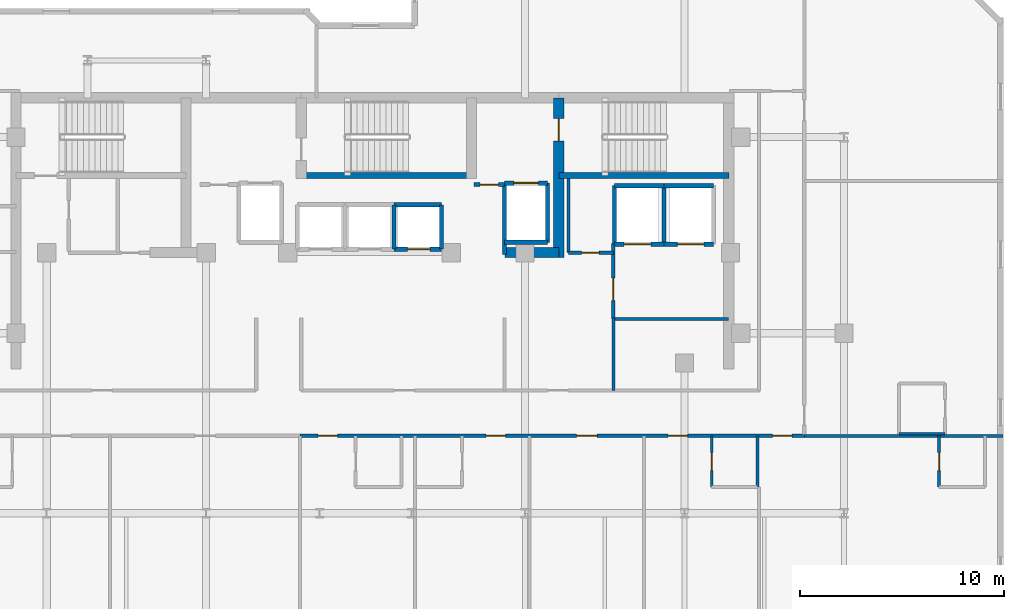
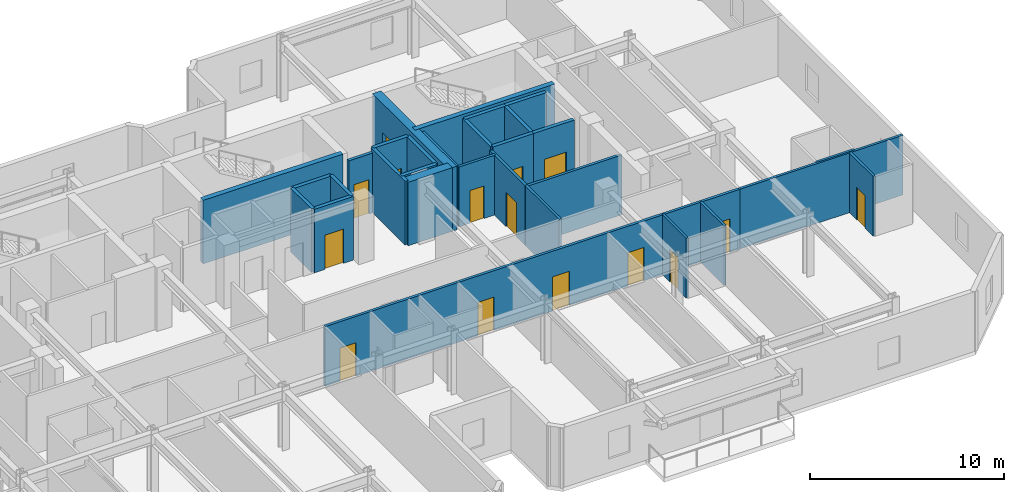
# One storey, part 6 of 10: 30 walls, 15 doors, 15 openings.
"""IFC4 building model written with IfcOpenShell, lengths in metres."""

import ifcopenshell
import ifcopenshell.guid

model = None  # the IFC model being written
_history = None  # IfcOwnerHistory: only IFC2X3 demands one
_inside = {}  # id of a spatial element -> (the spatial element, [elements in it])
_under = {}  # id of a project, library or spatial element -> (it, [spatial elements below it])
_declared = {}  # id of a project -> (the project, [libraries it declares])
_typed = {}  # id of a type object -> (the type object, [elements of that type])
_made_of = {}  # id of a material, layer set ... -> (it, [elements and type objects made of it])


def new_model(schema):
    """Start an empty IFC model of exactly this schema.

    Asked for "IFC4X3", IfcOpenShell would pick the latest addendum, in which some entities
    have other attributes; the version numbers below select the first issue.
    IFC2X3 requires an IfcOwnerHistory on every rooted entity: one is made here for all.
    """
    global model, _history
    if schema == "IFC4X3":
        model = ifcopenshell.file(schema_version=(4, 3, 0, 0))
    else:
        model = ifcopenshell.file(schema=schema)
    _inside.clear()
    _under.clear()
    _declared.clear()
    _typed.clear()
    _made_of.clear()
    _history = None
    if model.schema == "IFC2X3":
        org = make("IfcOrganization", Name="unknown")
        user = make(
            "IfcPersonAndOrganization",
            ThePerson=make("IfcPerson", FamilyName="unknown"),
            TheOrganization=org,
        )
        app = make(
            "IfcApplication",
            ApplicationDeveloper=org,
            Version="unknown",
            ApplicationFullName="unknown",
            ApplicationIdentifier="unknown",
        )
        _history = make(
            "IfcOwnerHistory",
            OwningUser=user,
            OwningApplication=app,
            ChangeAction="ADDED",
            CreationDate=0,
        )
    return model


def make(cls, **values):
    """One entity of the class cls with the attributes given. An attribute that is None is left unset."""
    return model.create_entity(
        cls, **{name: value for name, value in values.items() if value is not None}
    )


def rooted(cls, **values):
    """An entity with a GlobalId (a new one), such as an element, a storey or a relation."""
    return make(cls, GlobalId=ifcopenshell.guid.new(), OwnerHistory=_history, **values)


def si_unit(unit_type, name, prefix=None):
    """IfcSIUnit, for example si_unit("LENGTHUNIT", "METRE", prefix="MILLI")."""
    return make("IfcSIUnit", UnitType=unit_type, Prefix=prefix, Name=name)


def assignment(units):
    """IfcUnitAssignment: the units of a project."""
    return None if units is None else make("IfcUnitAssignment", Units=units)


def point(xyz):
    """IfcCartesianPoint."""
    return None if xyz is None else make("IfcCartesianPoint", Coordinates=xyz)


def direction(xyz):
    """IfcDirection."""
    return None if xyz is None else make("IfcDirection", DirectionRatios=xyz)


def frame(location, z_axis=None, x_axis=None):
    """IfcAxis2Placement3D, a coordinate frame: its origin and axes. An axis left out is left unset."""
    return make(
        "IfcAxis2Placement3D",
        Location=point(location),
        Axis=direction(z_axis),
        RefDirection=direction(x_axis),
    )


def frame_2d(location, x_axis=None):
    """IfcAxis2Placement2D, a coordinate frame in the plane: its origin and x axis."""
    return make(
        "IfcAxis2Placement2D", Location=point(location), RefDirection=direction(x_axis)
    )


def origin():
    """The frame at (0, 0, 0) with its axes left unset."""
    return frame((0.0, 0.0, 0.0))


def place(relative_to, where):
    """IfcLocalPlacement: puts the frame where relative to a parent placement (None: the world)."""
    return make(
        "IfcLocalPlacement", PlacementRelTo=relative_to, RelativePlacement=where
    )


def context(
    kind, dimensions, precision=None, world=None, true_north=None, identifier=None
):
    """IfcGeometricRepresentationContext, for example the 3D "Model" context."""
    return make(
        "IfcGeometricRepresentationContext",
        ContextIdentifier=identifier,
        ContextType=kind,
        CoordinateSpaceDimension=dimensions,
        Precision=precision,
        WorldCoordinateSystem=world,
        TrueNorth=true_north,
    )


def subcontext(parent, identifier, kind, view, scale=None):
    """IfcGeometricRepresentationSubContext, for example "Body" below "Model"."""
    return make(
        "IfcGeometricRepresentationSubContext",
        ContextIdentifier=identifier,
        ContextType=kind,
        ParentContext=parent,
        TargetScale=scale,
        TargetView=view,
    )


def project(units=None, contexts=None):
    """IfcProject with its units and contexts."""
    return rooted(
        "IfcProject",
        Name="project",
        RepresentationContexts=contexts,
        UnitsInContext=assignment(units),
    )


def spatial(cls, under=None, at=None, **own):
    """A site, building, storey or space (cls), placed at a placement, below another one or the project."""
    s = rooted(cls, ObjectPlacement=at, **own)
    if under is not None:
        _under.setdefault(under.id(), (under, []))[1].append(s)
    return s


def profile(cls, at=None, kind="AREA", **sizes):
    """A parametric profile (cls). Its sizes go by their IFC names, for example OverallWidth=200.0."""
    return make(cls, ProfileType=kind, Position=at, **sizes)


def rectangle(**sizes):
    """IfcRectangleProfileDef."""
    return profile("IfcRectangleProfileDef", **sizes)


def extrude(swept, where, along, depth):
    """IfcExtrudedAreaSolid: the profile swept, set in the frame where, extruded along a direction by depth."""
    return make(
        "IfcExtrudedAreaSolid",
        SweptArea=swept,
        Position=where,
        ExtrudedDirection=direction(along),
        Depth=depth,
    )


def shape(context_of_items, identifier, shape_type, items):
    """IfcShapeRepresentation: the items that make up one representation, for example the "Body"."""
    return make(
        "IfcShapeRepresentation",
        ContextOfItems=context_of_items,
        RepresentationIdentifier=identifier,
        RepresentationType=shape_type,
        Items=items,
    )


def material(Name=None, Category=None):
    """IfcMaterial."""
    return make("IfcMaterial", Name=Name, Category=Category)


def layer(
    of_material, thickness, ventilated=None, Name=None, Category=None, Priority=None
):
    """IfcMaterialLayer: one layer of a wall or slab, of a material (None: an air gap)."""
    return make(
        "IfcMaterialLayer",
        Material=of_material,
        LayerThickness=thickness,
        IsVentilated=ventilated,
        Name=Name,
        Category=Category,
        Priority=Priority,
    )


def layer_set(layers, Name=None):
    """IfcMaterialLayerSet."""
    return make("IfcMaterialLayerSet", MaterialLayers=layers, LayerSetName=Name)


def made_of(thing, what):
    """Note that an element or type object is made of a material, layer set ...; save() writes the relation."""
    if what is not None:
        _made_of.setdefault(what.id(), (what, []))[1].append(thing)
    return thing


def type_object(cls, material=None, **own):
    """A type object (cls), such as IfcWallType, which elements share."""
    return made_of(rooted(cls, **own), material)


def element(
    cls,
    number,
    at=None,
    inside=None,
    cuts=None,
    type_object=None,
    material=None,
    context=None,
    identifier="Body",
    shape_type=None,
    held_by="IfcProductDefinitionShape",
    body=None,
    shapes=None,
    **own,
):
    """One element of the class cls, such as IfcWall. Its Tag is "e" and its number.

    at: its placement. inside: the storey or other place that contains it. cuts: it is an
    opening in that element (IfcRelVoidsElement). A single representation is given by context,
    identifier, shape_type and body (its items); several are given by shapes. held_by: the class
    of the entity that holds the representations. save() writes the other relations.
    """
    e = rooted(cls, Tag="e%d" % number, ObjectPlacement=at, **own)
    if body is not None:
        shapes = [shape(context, identifier, shape_type, body)]
    if shapes is not None:
        e.Representation = make(held_by, Representations=shapes)
    if inside is not None:
        _inside.setdefault(inside.id(), (inside, []))[1].append(e)
    if cuts is not None:
        rooted(
            "IfcRelVoidsElement", RelatingBuildingElement=cuts, RelatedOpeningElement=e
        )
    if type_object is not None:
        _typed.setdefault(type_object.id(), (type_object, []))[1].append(e)
    return made_of(e, material)


def fill(opening, filler):
    """IfcRelFillsElement: the door or window that sits in an opening."""
    return rooted(
        "IfcRelFillsElement",
        RelatingOpeningElement=opening,
        RelatedBuildingElement=filler,
    )


def aggregate(whole, parts):
    """IfcRelAggregates: a whole, such as a stair, and the parts it consists of."""
    return rooted("IfcRelAggregates", RelatingObject=whole, RelatedObjects=parts)


def save(model, path):
    """Write the relations noted so far, then the file.

    IfcRelAggregates (storeys below a building ...), IfcRelContainedInSpatialStructure (elements
    in a storey), IfcRelDefinesByType, IfcRelAssociatesMaterial and IfcRelDeclares: one each for
    every whole, place, type object, material and project.
    """
    for whole, parts in _under.values():
        aggregate(whole, parts)
    for where, things in _inside.values():
        rooted(
            "IfcRelContainedInSpatialStructure",
            RelatedElements=things,
            RelatingStructure=where,
        )
    for kind, things in _typed.values():
        rooted("IfcRelDefinesByType", RelatedObjects=things, RelatingType=kind)
    for what, things in _made_of.values():
        rooted("IfcRelAssociatesMaterial", RelatedObjects=things, RelatingMaterial=what)
    for by, libraries in _declared.values():
        rooted("IfcRelDeclares", RelatingContext=by, RelatedDefinitions=libraries)
    model.write(path)


model = new_model("IFC4")

# Units and contexts
model_context = context("Model", 3, precision=1e-05, world=origin(), true_north=direction((0.0, 1.0)))
body_context = subcontext(model_context, "Body", "Model", "MODEL_VIEW")
ifc_project = project(units=[si_unit("LENGTHUNIT", "METRE"), si_unit("AREAUNIT", "SQUARE_METRE"), si_unit("VOLUMEUNIT", "CUBIC_METRE"), si_unit("PLANEANGLEUNIT", "RADIAN"), si_unit("MASSUNIT", "GRAM", prefix="KILO")], contexts=[model_context])

# Site, building, storey
site_placement = place(None, origin())
site = spatial("IfcSite", under=ifc_project, at=site_placement, CompositionType="ELEMENT")
building_placement = place(site_placement, origin())
building = spatial("IfcBuilding", under=site, at=building_placement, Name="Kestravale Grand Hotel", CompositionType="ELEMENT")
storey_placement = place(building_placement, frame((0.0, 0.0, 285.39990234375)))
storey = spatial("IfcBuildingStorey", under=building, at=storey_placement, Name="L71", CompositionType="ELEMENT", Elevation=285.39990234375)

# Wall
ifc_material_1 = material(Name="Concrete f'c 50 MPa", Category="concrete")
ifc_layer_1 = layer(ifc_material_1, 0.5)
ifc_layer_set_1 = layer_set([ifc_layer_1], Name="EW-CORE-500")
wall_type_1 = type_object("IfcWallType", Name="EW-CORE-500", PredefinedType="SHEAR", material=ifc_layer_set_1)
wall_1_placement = place(storey_placement, frame((45.81005859375, 32.75, 0.0), z_axis=(0.0, 0.0, 1.0), x_axis=(1.0, 0.0, 0.0)))
element("IfcWall", 1, at=wall_1_placement, inside=storey, type_object=wall_type_1, Name="L71 core shear wall S2", PredefinedType="SHEAR", context=body_context, shape_type="SweptSolid", body=[
    extrude(rectangle(XDim=2.639892578125, YDim=0.5, at=frame_2d((1.31982421875, 0.0))), origin(), (0.0, 0.0, 1.0), 4.0),
])

# Wall, opening, door
wall_2_placement = place(storey_placement, frame((48.449951171875, 32.5, 0.0), z_axis=(0.0, 0.0, 1.0), x_axis=(0.0, 1.0, 0.0)))
wall_2 = element("IfcWall", 2, at=wall_2_placement, inside=storey, type_object=wall_type_1, Name="L71 core shear wall X4", PredefinedType="SHEAR", context=body_context, shape_type="SweptSolid", body=[
    extrude(rectangle(XDim=7.820068359375, YDim=0.5, at=frame_2d((3.91015625, 0.0))), origin(), (0.0, 0.0, 1.0), 4.0),
])
opening_1_placement = place(wall_2_placement, frame((5.699951171875, 0.0, 0.0)))
opening_1 = element("IfcOpeningElement", 3, at=opening_1_placement, cuts=wall_2, Name="Opening D-ST-1100", PredefinedType="OPENING", context=body_context, shape_type="SweptSolid", body=[
    extrude(rectangle(XDim=1.10009765625, YDim=2.14990234375, at=frame_2d((0.550048828125, 1.074951171875))), frame((0.0, 0.260009765625, 0.0), z_axis=(0.0, -1.0, 0.0), x_axis=(1.0, 0.0, 0.0)), (0.0, 0.0, 1.0), 0.52001953125),
])
ifc_material_2 = material(Name="Galvanised 90-minute fire-rated steel stair door", Category="steel")
door_type_1 = type_object("IfcDoorType", Name="D-ST-1100", OperationType="NOTDEFINED", PredefinedType="DOOR", material=ifc_material_2)
door_1_placement = place(opening_1_placement, origin())
door_1 = element("IfcDoor", 4, at=door_1_placement, inside=storey, type_object=door_type_1, Name="L71 Stair ST-3 FSAE fire door", OperationType="SINGLE_SWING_RIGHT", OverallHeight=2.14990234375, OverallWidth=1.10009765625, PredefinedType="DOOR", context=body_context, shape_type="SweptSolid", body=[
    extrude(rectangle(XDim=1.10009765625, YDim=2.14990234375, at=frame_2d((0.550048828125, 1.074951171875))), frame((0.0, 0.02490234375, 0.0), z_axis=(0.0, -1.0, 0.0), x_axis=(1.0, 0.0, 0.0)), (0.0, 0.0, 1.0), 0.050048828125),
])
fill(opening_1, door_1)

# Walls
ifc_material_3 = material(Name="Concrete f'c 45 MPa", Category="concrete")
ifc_layer_2 = layer(ifc_material_3, 0.300048828125)
ifc_layer_set_2 = layer_set([ifc_layer_2], Name="EW-STAIR-300")
wall_type_2 = type_object("IfcWallType", Name="EW-STAIR-300", PredefinedType="SHEAR", material=ifc_layer_set_2)
wall_3_placement = place(storey_placement, frame((35.85009765625, 36.52001953125, 0.0), z_axis=(0.0, 0.0, 1.0), x_axis=(1.0, 0.0, 0.0)))
element("IfcWall", 5, at=wall_3_placement, inside=storey, type_object=wall_type_2, Name="L71 stair enclosure shear wall SST2", PredefinedType="SHEAR", context=body_context, shape_type="SweptSolid", body=[
    extrude(rectangle(XDim=8.329833984375, YDim=0.300048828125, at=frame_2d((4.1650390625, 0.0))), origin(), (0.0, 0.0, 1.0), 4.0),
])
wall_4_placement = place(storey_placement, frame((48.449951171875, 36.52001953125, 0.0), z_axis=(0.0, 0.0, 1.0), x_axis=(1.0, 0.0, 0.0)))
element("IfcWall", 6, at=wall_4_placement, inside=storey, type_object=wall_type_2, Name="L71 stair enclosure shear wall SST3", PredefinedType="SHEAR", context=body_context, shape_type="SweptSolid", body=[
    extrude(rectangle(XDim=8.320068359375, YDim=0.300048828125, at=frame_2d((4.16015625, 0.0))), origin(), (0.0, 0.0, 1.0), 4.0),
])

# Wall, opening, door
ifc_material_4 = material(Name="Acoustic fire-rated gypsum board partition", Category="other")
ifc_layer_3 = layer(ifc_material_4, 0.159912109375)
ifc_layer_set_3 = layer_set([ifc_layer_3], Name="IW-CORR-160")
wall_type_3 = type_object("IfcWallType", Name="IW-CORR-160", PredefinedType="PARTITIONING", material=ifc_layer_set_3)
wall_5_placement = place(storey_placement, frame((51.1201171875, 29.5, 0.0), z_axis=(0.0, 0.0, 1.0), x_axis=(0.0, 1.0, 0.0)))
wall_5 = element("IfcWall", 7, at=wall_5_placement, inside=storey, type_object=wall_type_3, Name="W-L71-SVCLOB-W", PredefinedType="PARTITIONING", context=body_context, shape_type="SweptSolid", body=[
    extrude(rectangle(XDim=3.699951171875, YDim=0.159912109375, at=frame_2d((1.85009765625, 0.0))), origin(), (0.0, 0.0, 1.0), 3.760009765625),
])
opening_2_placement = place(wall_5_placement, frame((0.89990234375, 0.0, 0.0)))
opening_2 = element("IfcOpeningElement", 8, at=opening_2_placement, cuts=wall_5, Name="Opening D-CORR-1100", PredefinedType="OPENING", context=body_context, shape_type="SweptSolid", body=[
    extrude(rectangle(XDim=1.10009765625, YDim=2.14990234375, at=frame_2d((0.550048828125, 1.074951171875))), frame((0.0, 0.08984375, 0.0), z_axis=(0.0, -1.0, 0.0), x_axis=(1.0, 0.0, 0.0)), (0.0, 0.0, 1.0), 0.179931640625),
])
ifc_material_5 = material(Name="Single-leaf service vestibule fire door", Category="steel")
door_type_2 = type_object("IfcDoorType", Name="D-CORR-1100", OperationType="NOTDEFINED", PredefinedType="DOOR", material=ifc_material_5)
door_2_placement = place(opening_2_placement, origin())
door_2 = element("IfcDoor", 9, at=door_2_placement, inside=storey, type_object=door_type_2, Name="L71 service lift lobby door", OperationType="SINGLE_SWING_LEFT", OverallHeight=2.14990234375, OverallWidth=1.10009765625, PredefinedType="DOOR", context=body_context, shape_type="SweptSolid", body=[
    extrude(rectangle(XDim=1.10009765625, YDim=2.14990234375, at=frame_2d((0.550048828125, 1.074951171875))), frame((0.0, 0.02490234375, 0.0), z_axis=(0.0, -1.0, 0.0), x_axis=(1.0, 0.0, 0.0)), (0.0, 0.0, 1.0), 0.050048828125),
])
fill(opening_2, door_2)

# Wall
wall_6_placement = place(storey_placement, frame((51.1201171875, 29.5, 0.0), z_axis=(0.0, 0.0, 1.0), x_axis=(1.0, 0.0, 0.0)))
element("IfcWall", 10, at=wall_6_placement, inside=storey, type_object=wall_type_3, Name="L71 service lift lobby wall", PredefinedType="PARTITIONING", context=body_context, shape_type="SweptSolid", body=[
    extrude(rectangle(XDim=5.6298828125, YDim=0.159912109375, at=frame_2d((2.81494140625, 0.0))), origin(), (0.0, 0.0, 1.0), 3.760009765625),
])

# Wall, opening, door
wall_7_placement = place(storey_placement, frame((48.919921875, 32.75, 0.0), z_axis=(0.0, 0.0, 1.0), x_axis=(1.0, 0.0, 0.0)))
wall_7 = element("IfcWall", 11, at=wall_7_placement, inside=storey, type_object=wall_type_3, Name="W-L71-CES", PredefinedType="PARTITIONING", context=body_context, shape_type="SweptSolid", body=[
    extrude(rectangle(XDim=2.2001953125, YDim=0.159912109375, at=frame_2d((1.10009765625, 0.0))), origin(), (0.0, 0.0, 1.0), 3.760009765625),
])
opening_3_placement = place(wall_7_placement, frame((0.64990234375, 0.0, 0.0)))
opening_3 = element("IfcOpeningElement", 12, at=opening_3_placement, cuts=wall_7, Name="Opening D-SH-860", PredefinedType="OPENING", context=body_context, shape_type="SweptSolid", body=[
    extrude(rectangle(XDim=0.860107421875, YDim=2.050048828125, at=frame_2d((0.43017578125, 1.02490234375))), frame((0.0, 0.08984375, 0.0), z_axis=(0.0, -1.0, 0.0), x_axis=(1.0, 0.0, 0.0)), (0.0, 0.0, 1.0), 0.179931640625),
])
ifc_material_6 = material(Name="Galvanised 90-minute riser fire door", Category="steel")
door_type_3 = type_object("IfcDoorType", Name="D-SH-860", OperationType="NOTDEFINED", PredefinedType="DOOR", material=ifc_material_6)
door_3_placement = place(opening_3_placement, origin())
door_3 = element("IfcDoor", 13, at=door_3_placement, inside=storey, type_object=door_type_3, Name="L71 CSTO1 door", OperationType="SINGLE_SWING_RIGHT", OverallHeight=2.050048828125, OverallWidth=0.860107421875, PredefinedType="DOOR", context=body_context, shape_type="SweptSolid", body=[
    extrude(rectangle(XDim=0.860107421875, YDim=2.050048828125, at=frame_2d((0.43017578125, 1.02490234375))), frame((0.0, 0.02490234375, 0.0), z_axis=(0.0, -1.0, 0.0), x_axis=(1.0, 0.0, 0.0)), (0.0, 0.0, 1.0), 0.050048828125),
])
fill(opening_3, door_3)

# Wall, openings, doors
wall_8_placement = place(storey_placement, frame((35.800048828125, 23.7900390625, 0.0), z_axis=(0.0, 0.0, 1.0), x_axis=(1.0, 0.0, 0.0)))
wall_8 = element("IfcWall", 14, at=wall_8_placement, inside=storey, type_object=wall_type_3, Name="W-L71-CE-S", PredefinedType="PARTITIONING", context=body_context, shape_type="SweptSolid", body=[
    extrude(rectangle(XDim=24.659912109375, YDim=0.159912109375, at=frame_2d((12.330078125, 0.0))), origin(), (0.0, 0.0, 1.0), 3.760009765625),
])
opening_4_placement = place(wall_8_placement, frame((0.8798828125, 0.0, 0.0)))
opening_4 = element("IfcOpeningElement", 15, at=opening_4_placement, cuts=wall_8, Name="Opening D-GUEST-950", PredefinedType="OPENING", context=body_context, shape_type="SweptSolid", body=[
    extrude(rectangle(XDim=0.949951171875, YDim=2.10009765625, at=frame_2d((0.47509765625, 1.050048828125))), frame((0.0, 0.08984375, 0.0), z_axis=(0.0, -1.0, 0.0), x_axis=(1.0, 0.0, 0.0)), (0.0, 0.0, 1.0), 0.179931640625),
])
opening_5_placement = place(wall_8_placement, frame((9.094970703125, 0.0, 0.0)))
opening_5 = element("IfcOpeningElement", 16, at=opening_5_placement, cuts=wall_8, Name="Opening D-GUEST-950", PredefinedType="OPENING", context=body_context, shape_type="SweptSolid", body=[
    extrude(rectangle(XDim=0.949951171875, YDim=2.10009765625, at=frame_2d((0.47509765625, 1.050048828125))), frame((0.0, 0.08984375, 0.0), z_axis=(0.0, -1.0, 0.0), x_axis=(1.0, 0.0, 0.0)), (0.0, 0.0, 1.0), 0.179931640625),
])
opening_6_placement = place(wall_8_placement, frame((13.52490234375, 0.0, 0.0)))
opening_6 = element("IfcOpeningElement", 17, at=opening_6_placement, cuts=wall_8, Name="Opening D-GUEST-1000", PredefinedType="OPENING", context=body_context, shape_type="SweptSolid", body=[
    extrude(rectangle(XDim=1.0, YDim=2.14990234375, at=frame_2d((0.5, 1.074951171875))), frame((0.0, 0.08984375, 0.0), z_axis=(0.0, -1.0, 0.0), x_axis=(1.0, 0.0, 0.0)), (0.0, 0.0, 1.0), 0.179931640625),
])
opening_7_placement = place(wall_8_placement, frame((18.0048828125, 0.0, 0.0)))
opening_7 = element("IfcOpeningElement", 18, at=opening_7_placement, cuts=wall_8, Name="Opening D-GUEST-950", PredefinedType="OPENING", context=body_context, shape_type="SweptSolid", body=[
    extrude(rectangle(XDim=0.949951171875, YDim=2.10009765625, at=frame_2d((0.47509765625, 1.050048828125))), frame((0.0, 0.08984375, 0.0), z_axis=(0.0, -1.0, 0.0), x_axis=(1.0, 0.0, 0.0)), (0.0, 0.0, 1.0), 0.179931640625),
])
opening_8_placement = place(wall_8_placement, frame((23.114990234375, 0.0, 0.0)))
opening_8 = element("IfcOpeningElement", 19, at=opening_8_placement, cuts=wall_8, Name="Opening D-GUEST-950", PredefinedType="OPENING", context=body_context, shape_type="SweptSolid", body=[
    extrude(rectangle(XDim=0.949951171875, YDim=2.10009765625, at=frame_2d((0.47509765625, 1.050048828125))), frame((0.0, 0.08984375, 0.0), z_axis=(0.0, -1.0, 0.0), x_axis=(1.0, 0.0, 0.0)), (0.0, 0.0, 1.0), 0.179931640625),
])
ifc_material_7 = material(Name="Accessible walnut veneer hotel entrance fire door", Category="wood")
door_type_4 = type_object("IfcDoorType", Name="D-GUEST-1000", OperationType="NOTDEFINED", PredefinedType="DOOR", material=ifc_material_7)
door_4_placement = place(opening_6_placement, origin())
door_4 = element("IfcDoor", 20, at=door_4_placement, inside=storey, type_object=door_type_4, Name="D-L71-AME", OperationType="SINGLE_SWING_LEFT", OverallHeight=2.14990234375, OverallWidth=1.0, PredefinedType="DOOR", context=body_context, shape_type="SweptSolid", body=[
    extrude(rectangle(XDim=1.0, YDim=2.14990234375, at=frame_2d((0.5, 1.074951171875))), frame((0.0, 0.02490234375, 0.0), z_axis=(0.0, -1.0, 0.0), x_axis=(1.0, 0.0, 0.0)), (0.0, 0.0, 1.0), 0.050048828125),
])
fill(opening_6, door_4)
ifc_material_8 = material(Name="Walnut veneer hotel guestroom entrance fire door", Category="wood")
door_type_5 = type_object("IfcDoorType", Name="D-GUEST-950", OperationType="NOTDEFINED", PredefinedType="DOOR", material=ifc_material_8)
door_5_placement = place(opening_4_placement, origin())
door_5 = element("IfcDoor", 21, at=door_5_placement, inside=storey, type_object=door_type_5, Name="D-L71-U02-ENT", OperationType="SINGLE_SWING_RIGHT", OverallHeight=2.10009765625, OverallWidth=0.949951171875, PredefinedType="DOOR", context=body_context, shape_type="SweptSolid", body=[
    extrude(rectangle(XDim=0.949951171875, YDim=2.10009765625, at=frame_2d((0.47509765625, 1.050048828125))), frame((0.0, 0.02490234375, 0.0), z_axis=(0.0, -1.0, 0.0), x_axis=(1.0, 0.0, 0.0)), (0.0, 0.0, 1.0), 0.050048828125),
])
fill(opening_4, door_5)
door_6_placement = place(opening_5_placement, origin())
door_6 = element("IfcDoor", 22, at=door_6_placement, inside=storey, type_object=door_type_5, Name="D-L71-U03-ENT", OperationType="SINGLE_SWING_RIGHT", OverallHeight=2.10009765625, OverallWidth=0.949951171875, PredefinedType="DOOR", context=body_context, shape_type="SweptSolid", body=[
    extrude(rectangle(XDim=0.949951171875, YDim=2.10009765625, at=frame_2d((0.47509765625, 1.050048828125))), frame((0.0, 0.02490234375, 0.0), z_axis=(0.0, -1.0, 0.0), x_axis=(1.0, 0.0, 0.0)), (0.0, 0.0, 1.0), 0.050048828125),
])
fill(opening_5, door_6)
door_7_placement = place(opening_7_placement, origin())
door_7 = element("IfcDoor", 23, at=door_7_placement, inside=storey, type_object=door_type_5, Name="D-L71-U04-ENT", OperationType="SINGLE_SWING_LEFT", OverallHeight=2.10009765625, OverallWidth=0.949951171875, PredefinedType="DOOR", context=body_context, shape_type="SweptSolid", body=[
    extrude(rectangle(XDim=0.949951171875, YDim=2.10009765625, at=frame_2d((0.47509765625, 1.050048828125))), frame((0.0, 0.02490234375, 0.0), z_axis=(0.0, -1.0, 0.0), x_axis=(1.0, 0.0, 0.0)), (0.0, 0.0, 1.0), 0.050048828125),
])
fill(opening_7, door_7)
door_8_placement = place(opening_8_placement, origin())
door_8 = element("IfcDoor", 24, at=door_8_placement, inside=storey, type_object=door_type_5, Name="D-L71-U08-ENT", OperationType="SINGLE_SWING_RIGHT", OverallHeight=2.10009765625, OverallWidth=0.949951171875, PredefinedType="DOOR", context=body_context, shape_type="SweptSolid", body=[
    extrude(rectangle(XDim=0.949951171875, YDim=2.10009765625, at=frame_2d((0.47509765625, 1.050048828125))), frame((0.0, 0.02490234375, 0.0), z_axis=(0.0, -1.0, 0.0), x_axis=(1.0, 0.0, 0.0)), (0.0, 0.0, 1.0), 0.050048828125),
])
fill(opening_8, door_8)

# Wall, opening, door
ifc_material_9 = material(Name="Fire-rated gypsum board on steel studs with mineral wool", Category="steel")
ifc_layer_4 = layer(ifc_material_9, 0.179931640625)
ifc_layer_set_4 = layer_set([ifc_layer_4], Name="IW-FSAE-180")
wall_type_4 = type_object("IfcWallType", Name="IW-FSAE-180", PredefinedType="PARTITIONING", material=ifc_layer_set_4)
wall_9_placement = place(storey_placement, frame((44.300048828125, 36.080078125, 0.0), z_axis=(0.0, 0.0, 1.0), x_axis=(1.0, 0.0, 0.0)))
wall_9 = element("IfcWall", 25, at=wall_9_placement, inside=storey, type_object=wall_type_4, Name="L71 FSAE Lobby 2 smoke barrier", PredefinedType="PARTITIONING", context=body_context, shape_type="SweptSolid", body=[
    extrude(rectangle(XDim=1.5, YDim=0.179931640625, at=frame_2d((0.75, 0.0))), origin(), (0.0, 0.0, 1.0), 3.760009765625),
])
opening_9_placement = place(wall_9_placement, frame((0.300048828125, 0.0, 0.0)))
opening_9 = element("IfcOpeningElement", 26, at=opening_9_placement, cuts=wall_9, Name="Opening D-FSAE-1000", PredefinedType="OPENING", context=body_context, shape_type="SweptSolid", body=[
    extrude(rectangle(XDim=0.89990234375, YDim=2.14990234375, at=frame_2d((0.449951171875, 1.074951171875))), frame((0.0, 0.099853515625, 0.0), z_axis=(0.0, -1.0, 0.0), x_axis=(1.0, 0.0, 0.0)), (0.0, 0.0, 1.0), 0.199951171875),
])
ifc_material_10 = material(Name="Smoke-gasketed FSAE lobby fire door", Category="steel")
door_type_6 = type_object("IfcDoorType", Name="D-FSAE-1000", OperationType="NOTDEFINED", PredefinedType="DOOR", material=ifc_material_10)
door_9_placement = place(opening_9_placement, origin())
door_9 = element("IfcDoor", 27, at=door_9_placement, inside=storey, type_object=door_type_6, Name="L71 FSAE Lobby 2 fire door", OperationType="SINGLE_SWING_LEFT", OverallHeight=2.14990234375, OverallWidth=0.89990234375, PredefinedType="DOOR", context=body_context, shape_type="SweptSolid", body=[
    extrude(rectangle(XDim=0.89990234375, YDim=2.14990234375, at=frame_2d((0.449951171875, 1.074951171875))), frame((0.0, 0.02490234375, 0.0), z_axis=(0.0, -1.0, 0.0), x_axis=(1.0, 0.0, 0.0)), (0.0, 0.0, 1.0), 0.050048828125),
])
fill(opening_9, door_9)

ifc_material_11 = material(Name="Moisture-resistant tile-backer plumbing chase wall", Category="other")
ifc_layer_5 = layer(ifc_material_11, 0.139892578125)
ifc_layer_set_5 = layer_set([ifc_layer_5], Name="IW-PLB-140")
wall_type_5 = type_object("IfcWallType", Name="IW-PLB-140", PredefinedType="PLUMBINGWALL", material=ifc_layer_set_5)
wall_10_placement = place(storey_placement, frame((55.929931640625, 21.280029296875, 0.0), z_axis=(0.0, 0.0, 1.0), x_axis=(0.0, 1.0, 0.0)))
wall_10 = element("IfcWall", 28, at=wall_10_placement, inside=storey, type_object=wall_type_5, Name="W-L71-U04-BW", PredefinedType="PLUMBINGWALL", context=body_context, shape_type="SweptSolid", body=[
    extrude(rectangle(XDim=2.489990234375, YDim=0.139892578125, at=frame_2d((1.2451171875, 0.0))), origin(), (0.0, 0.0, 1.0), 3.760009765625),
])
opening_10_placement = place(wall_10_placement, frame((0.804931640625, 0.0, 0.0)))
opening_10 = element("IfcOpeningElement", 29, at=opening_10_placement, cuts=wall_10, Name="Opening D-BATH-880", PredefinedType="OPENING", context=body_context, shape_type="SweptSolid", body=[
    extrude(rectangle(XDim=0.8798828125, YDim=2.050048828125, at=frame_2d((0.43994140625, 1.02490234375))), frame((0.0, 0.079833984375, 0.0), z_axis=(0.0, -1.0, 0.0), x_axis=(1.0, 0.0, 0.0)), (0.0, 0.0, 1.0), 0.159912109375),
])
ifc_material_12 = material(Name="Moisture-sealed walnut en-suite bathroom door", Category="wood")
door_type_7 = type_object("IfcDoorType", Name="D-BATH-880", OperationType="NOTDEFINED", PredefinedType="DOOR", material=ifc_material_12)
door_10_placement = place(opening_10_placement, origin())
door_10 = element("IfcDoor", 30, at=door_10_placement, inside=storey, type_object=door_type_7, Name="D-L71-U04-BATH", OperationType="SINGLE_SWING_RIGHT", OverallHeight=2.050048828125, OverallWidth=0.8798828125, PredefinedType="DOOR", context=body_context, shape_type="SweptSolid", body=[
    extrude(rectangle(XDim=0.8798828125, YDim=2.050048828125, at=frame_2d((0.43994140625, 1.02490234375))), frame((0.0, 0.02490234375, 0.0), z_axis=(0.0, -1.0, 0.0), x_axis=(1.0, 0.0, 0.0)), (0.0, 0.0, 1.0), 0.050048828125),
])
fill(opening_10, door_10)

# Wall
wall_11_placement = place(storey_placement, frame((58.179931640625, 21.280029296875, 0.0), z_axis=(0.0, 0.0, 1.0), x_axis=(0.0, 1.0, 0.0)))
element("IfcWall", 31, at=wall_11_placement, inside=storey, type_object=wall_type_5, Name="W-L71-U04-BE", PredefinedType="PLUMBINGWALL", context=body_context, shape_type="SweptSolid", body=[
    extrude(rectangle(XDim=2.489990234375, YDim=0.139892578125, at=frame_2d((1.2451171875, 0.0))), origin(), (0.0, 0.0, 1.0), 3.760009765625),
])

# Wall, opening, door
wall_12_placement = place(storey_placement, frame((67.050048828125, 21.280029296875, 0.0), z_axis=(0.0, 0.0, 1.0), x_axis=(0.0, 1.0, 0.0)))
wall_12 = element("IfcWall", 32, at=wall_12_placement, inside=storey, type_object=wall_type_5, Name="W-L71-U08-BW", PredefinedType="PLUMBINGWALL", context=body_context, shape_type="SweptSolid", body=[
    extrude(rectangle(XDim=2.489990234375, YDim=0.139892578125, at=frame_2d((1.2451171875, 0.0))), origin(), (0.0, 0.0, 1.0), 3.760009765625),
])
opening_11_placement = place(wall_12_placement, frame((0.804931640625, 0.0, 0.0)))
opening_11 = element("IfcOpeningElement", 33, at=opening_11_placement, cuts=wall_12, Name="Opening D-BATH-880", PredefinedType="OPENING", context=body_context, shape_type="SweptSolid", body=[
    extrude(rectangle(XDim=0.8798828125, YDim=2.050048828125, at=frame_2d((0.43994140625, 1.02490234375))), frame((0.0, 0.079833984375, 0.0), z_axis=(0.0, -1.0, 0.0), x_axis=(1.0, 0.0, 0.0)), (0.0, 0.0, 1.0), 0.159912109375),
])
door_11_placement = place(opening_11_placement, origin())
door_11 = element("IfcDoor", 34, at=door_11_placement, inside=storey, type_object=door_type_7, Name="D-L71-U08-BATH", OperationType="SINGLE_SWING_LEFT", OverallHeight=2.050048828125, OverallWidth=0.8798828125, PredefinedType="DOOR", context=body_context, shape_type="SweptSolid", body=[
    extrude(rectangle(XDim=0.8798828125, YDim=2.050048828125, at=frame_2d((0.43994140625, 1.02490234375))), frame((0.0, 0.02490234375, 0.0), z_axis=(0.0, -1.0, 0.0), x_axis=(1.0, 0.0, 0.0)), (0.0, 0.0, 1.0), 0.050048828125),
])
fill(opening_11, door_11)

# Walls
wall_13_placement = place(storey_placement, frame((65.10009765625, 23.889892578125, 0.0), z_axis=(0.0, 0.0, 1.0), x_axis=(1.0, 0.0, 0.0)))
element("IfcWall", 35, at=wall_13_placement, inside=storey, type_object=wall_type_5, Name="W-L71-U09-BS", PredefinedType="PLUMBINGWALL", context=body_context, shape_type="SweptSolid", body=[
    extrude(rectangle(XDim=2.25, YDim=0.139892578125, at=frame_2d((1.125, 0.0))), origin(), (0.0, 0.0, 1.0), 3.760009765625),
])
ifc_material_13 = material(Name="Concrete f'c 45 MPa", Category="concrete")
ifc_layer_6 = layer(ifc_material_13, 0.199951171875)
ifc_layer_set_6 = layer_set([ifc_layer_6], Name="IW-SHAFT-200")
wall_type_6 = type_object("IfcWallType", Name="IW-SHAFT-200", PredefinedType="SHEAR", material=ifc_layer_set_6)
for number, where, z_axis, x_axis, name in (
    (36, (40.39990234375, 32.919921875, 0.0), (0.0, 0.0, 1.0), (0.0, 1.0, 0.0), "L71 PL-X3 west shaft wall"),
    (37, (42.719970703125, 32.919921875, 0.0), (0.0, 0.0, 1.0), (0.0, 1.0, 0.0), "L71 PL-X3 east shaft wall"),
):
    element("IfcWall", number, at=place(storey_placement, frame(where, z_axis=z_axis, x_axis=x_axis)), inside=storey, type_object=wall_type_6, Name=name, PredefinedType="SHEAR", context=body_context, shape_type="SweptSolid", body=[
        extrude(rectangle(XDim=2.16015625, YDim=0.199951171875, at=frame_2d((1.080078125, 0.0))), origin(), (0.0, 0.0, 1.0), 4.0),
    ])
for number, where, z_axis, x_axis, name in (
    (38, (51.179931640625, 33.169921875, 0.0), (0.0, 0.0, 1.0), (0.0, 1.0, 0.0), "L71 SL-1 west shaft wall"),
    (39, (53.60009765625, 33.169921875, 0.0), (0.0, 0.0, 1.0), (0.0, 1.0, 0.0), "L71 SL-2 west shaft wall"),
):
    element("IfcWall", number, at=place(storey_placement, frame(where, z_axis=z_axis, x_axis=x_axis)), inside=storey, type_object=wall_type_6, Name=name, PredefinedType="SHEAR", context=body_context, shape_type="SweptSolid", body=[
        extrude(rectangle(XDim=2.860107421875, YDim=0.199951171875, at=frame_2d((1.43017578125, 0.0))), origin(), (0.0, 0.0, 1.0), 4.0),
    ])
wall_14_placement = place(storey_placement, frame((45.804931640625, 32.64990234375, 0.0), z_axis=(0.0, 0.0, 1.0), x_axis=(0.0, 1.0, 0.0)))
element("IfcWall", 40, at=wall_14_placement, inside=storey, type_object=wall_type_6, Name="L71 FL-2 west shaft wall", PredefinedType="SHEAR", context=body_context, shape_type="SweptSolid", body=[
    extrude(rectangle(XDim=3.505126953125, YDim=0.199951171875, at=frame_2d((1.75244140625, 0.0))), origin(), (0.0, 0.0, 1.0), 4.0),
])
wall_15_placement = place(storey_placement, frame((47.89501953125, 33.2451171875, 0.0), z_axis=(0.0, 0.0, 1.0), x_axis=(0.0, 1.0, 0.0)))
element("IfcWall", 41, at=wall_15_placement, inside=storey, type_object=wall_type_6, Name="L71 FL-2 east shaft wall", PredefinedType="SHEAR", context=body_context, shape_type="SweptSolid", body=[
    extrude(rectangle(XDim=2.909912109375, YDim=0.199951171875, at=frame_2d((1.455078125, 0.0))), origin(), (0.0, 0.0, 1.0), 4.0),
])
ifc_material_14 = material(Name="Concrete f'c 45 MPa", Category="concrete")
ifc_layer_7 = layer(ifc_material_14, 0.219970703125)
ifc_layer_set_7 = layer_set([ifc_layer_7], Name="IW-SHAFT-220")
wall_type_7 = type_object("IfcWallType", Name="IW-SHAFT-220", PredefinedType="SHEAR", material=ifc_layer_set_7)
wall_16_placement = place(storey_placement, frame((40.39990234375, 35.080078125, 0.0), z_axis=(0.0, 0.0, 1.0), x_axis=(1.0, 0.0, 0.0)))
element("IfcWall", 42, at=wall_16_placement, inside=storey, type_object=wall_type_7, Name="L71 PL-X3 north shaft wall", PredefinedType="SHEAR", context=body_context, shape_type="SweptSolid", body=[
    extrude(rectangle(XDim=2.320068359375, YDim=0.219970703125, at=frame_2d((1.16015625, 0.0))), origin(), (0.0, 0.0, 1.0), 4.0),
])

# Wall, opening, door
wall_17_placement = place(storey_placement, frame((40.39990234375, 32.919921875, 0.0), z_axis=(0.0, 0.0, 1.0), x_axis=(1.0, 0.0, 0.0)))
wall_17 = element("IfcWall", 43, at=wall_17_placement, inside=storey, type_object=wall_type_7, Name="L71 PL-X3 south shaft wall", PredefinedType="SHEAR", context=body_context, shape_type="SweptSolid", body=[
    extrude(rectangle(XDim=2.320068359375, YDim=0.219970703125, at=frame_2d((1.16015625, 0.0))), origin(), (0.0, 0.0, 1.0), 4.0),
])
opening_12_placement = place(wall_17_placement, frame((0.64990234375, 0.0, 0.0)))
opening_12 = element("IfcOpeningElement", 44, at=opening_12_placement, cuts=wall_17, Name="Opening LD-PAX-1100", PredefinedType="OPENING", context=body_context, shape_type="SweptSolid", body=[
    extrude(rectangle(XDim=1.10009765625, YDim=2.14990234375, at=frame_2d((0.550048828125, 1.074951171875))), frame((0.0, 0.119873046875, 0.0), z_axis=(0.0, -1.0, 0.0), x_axis=(1.0, 0.0, 0.0)), (0.0, 0.0, 1.0), 0.239990234375),
])
ifc_material_15 = material(Name="Champagne-bronze center-opening sliding elevator landing door", Category="steel")
door_type_8 = type_object("IfcDoorType", Name="LD-PAX-1100", OperationType="NOTDEFINED", PredefinedType="DOOR", material=ifc_material_15)
door_12_placement = place(opening_12_placement, origin())
door_12 = element("IfcDoor", 45, at=door_12_placement, inside=storey, type_object=door_type_8, Name="L71 PL-X3 elevator landing sliding door", OperationType="DOUBLE_DOOR_SLIDING", OverallHeight=2.14990234375, OverallWidth=1.10009765625, PredefinedType="DOOR", context=body_context, shape_type="SweptSolid", body=[
    extrude(rectangle(XDim=1.10009765625, YDim=2.14990234375, at=frame_2d((0.550048828125, 1.074951171875))), frame((0.0, 0.02490234375, 0.0), z_axis=(0.0, -1.0, 0.0), x_axis=(1.0, 0.0, 0.0)), (0.0, 0.0, 1.0), 0.050048828125),
])
fill(opening_12, door_12)

# Wall
wall_18_placement = place(storey_placement, frame((51.179931640625, 36.030029296875, 0.0), z_axis=(0.0, 0.0, 1.0), x_axis=(1.0, 0.0, 0.0)))
element("IfcWall", 46, at=wall_18_placement, inside=storey, type_object=wall_type_7, Name="L71 SL-1 north shaft wall", PredefinedType="SHEAR", context=body_context, shape_type="SweptSolid", body=[
    extrude(rectangle(XDim=2.420166015625, YDim=0.219970703125, at=frame_2d((1.2099609375, 0.0))), origin(), (0.0, 0.0, 1.0), 4.0),
])

# Wall, opening, door
wall_19_placement = place(storey_placement, frame((51.179931640625, 33.169921875, 0.0), z_axis=(0.0, 0.0, 1.0), x_axis=(1.0, 0.0, 0.0)))
wall_19 = element("IfcWall", 47, at=wall_19_placement, inside=storey, type_object=wall_type_7, Name="L71 SL-1 south shaft wall", PredefinedType="SHEAR", context=body_context, shape_type="SweptSolid", body=[
    extrude(rectangle(XDim=2.420166015625, YDim=0.219970703125, at=frame_2d((1.2099609375, 0.0))), origin(), (0.0, 0.0, 1.0), 4.0),
])
opening_13_placement = place(wall_19_placement, frame((0.469970703125, 0.0, 0.0)))
opening_13 = element("IfcOpeningElement", 48, at=opening_13_placement, cuts=wall_19, Name="Opening LD-SVC-1300", PredefinedType="OPENING", context=body_context, shape_type="SweptSolid", body=[
    extrude(rectangle(XDim=1.300048828125, YDim=2.14990234375, at=frame_2d((0.64990234375, 1.074951171875))), frame((0.0, 0.119873046875, 0.0), z_axis=(0.0, -1.0, 0.0), x_axis=(1.0, 0.0, 0.0)), (0.0, 0.0, 1.0), 0.239990234375),
])
ifc_material_16 = material(Name="Heavy-duty service sliding elevator landing door", Category="steel")
door_type_9 = type_object("IfcDoorType", Name="LD-SVC-1300", OperationType="NOTDEFINED", PredefinedType="DOOR", material=ifc_material_16)
door_13_placement = place(opening_13_placement, origin())
door_13 = element("IfcDoor", 49, at=door_13_placement, inside=storey, type_object=door_type_9, Name="L71 SL-1 elevator landing sliding door", OperationType="DOUBLE_DOOR_SLIDING", OverallHeight=2.14990234375, OverallWidth=1.300048828125, PredefinedType="DOOR", context=body_context, shape_type="SweptSolid", body=[
    extrude(rectangle(XDim=1.300048828125, YDim=2.14990234375, at=frame_2d((0.64990234375, 1.074951171875))), frame((0.0, 0.02490234375, 0.0), z_axis=(0.0, -1.0, 0.0), x_axis=(1.0, 0.0, 0.0)), (0.0, 0.0, 1.0), 0.050048828125),
])
fill(opening_13, door_13)

# Wall
wall_20_placement = place(storey_placement, frame((53.60009765625, 36.030029296875, 0.0), z_axis=(0.0, 0.0, 1.0), x_axis=(1.0, 0.0, 0.0)))
element("IfcWall", 50, at=wall_20_placement, inside=storey, type_object=wall_type_7, Name="L71 SL-2 north shaft wall", PredefinedType="SHEAR", context=body_context, shape_type="SweptSolid", body=[
    extrude(rectangle(XDim=2.419921875, YDim=0.219970703125, at=frame_2d((1.2099609375, 0.0))), origin(), (0.0, 0.0, 1.0), 4.0),
])

# Wall, opening, door
wall_21_placement = place(storey_placement, frame((53.60009765625, 33.169921875, 0.0), z_axis=(0.0, 0.0, 1.0), x_axis=(1.0, 0.0, 0.0)))
wall_21 = element("IfcWall", 51, at=wall_21_placement, inside=storey, type_object=wall_type_7, Name="L71 SL-2 south shaft wall", PredefinedType="SHEAR", context=body_context, shape_type="SweptSolid", body=[
    extrude(rectangle(XDim=2.419921875, YDim=0.219970703125, at=frame_2d((1.2099609375, 0.0))), origin(), (0.0, 0.0, 1.0), 4.0),
])
opening_14_placement = place(wall_21_placement, frame((0.64990234375, 0.0, 0.0)))
opening_14 = element("IfcOpeningElement", 52, at=opening_14_placement, cuts=wall_21, Name="Opening LD-SVC-1300", PredefinedType="OPENING", context=body_context, shape_type="SweptSolid", body=[
    extrude(rectangle(XDim=1.300048828125, YDim=2.14990234375, at=frame_2d((0.64990234375, 1.074951171875))), frame((0.0, 0.119873046875, 0.0), z_axis=(0.0, -1.0, 0.0), x_axis=(1.0, 0.0, 0.0)), (0.0, 0.0, 1.0), 0.239990234375),
])
door_14_placement = place(opening_14_placement, origin())
door_14 = element("IfcDoor", 53, at=door_14_placement, inside=storey, type_object=door_type_9, Name="L71 SL-2 elevator landing sliding door", OperationType="DOUBLE_DOOR_SLIDING", OverallHeight=2.14990234375, OverallWidth=1.300048828125, PredefinedType="DOOR", context=body_context, shape_type="SweptSolid", body=[
    extrude(rectangle(XDim=1.300048828125, YDim=2.14990234375, at=frame_2d((0.64990234375, 1.074951171875))), frame((0.0, 0.02490234375, 0.0), z_axis=(0.0, -1.0, 0.0), x_axis=(1.0, 0.0, 0.0)), (0.0, 0.0, 1.0), 0.050048828125),
])
fill(opening_14, door_14)

wall_22_placement = place(storey_placement, frame((45.804931640625, 36.155029296875, 0.0), z_axis=(0.0, 0.0, 1.0), x_axis=(1.0, 0.0, 0.0)))
wall_22 = element("IfcWall", 54, at=wall_22_placement, inside=storey, type_object=wall_type_7, Name="L71 FL-2 north shaft wall", PredefinedType="SHEAR", context=body_context, shape_type="SweptSolid", body=[
    extrude(rectangle(XDim=2.090087890625, YDim=0.219970703125, at=frame_2d((1.044921875, 0.0))), origin(), (0.0, 0.0, 1.0), 4.0),
])
opening_15_placement = place(wall_22_placement, frame((0.445068359375, 0.0, 0.0)))
opening_15 = element("IfcOpeningElement", 55, at=opening_15_placement, cuts=wall_22, Name="Opening LD-FSAE-1200", PredefinedType="OPENING", context=body_context, shape_type="SweptSolid", body=[
    extrude(rectangle(XDim=1.199951171875, YDim=2.14990234375, at=frame_2d((0.60009765625, 1.074951171875))), frame((0.0, 0.119873046875, 0.0), z_axis=(0.0, -1.0, 0.0), x_axis=(1.0, 0.0, 0.0)), (0.0, 0.0, 1.0), 0.239990234375),
])
ifc_material_17 = material(Name="Stainless fire-service sliding elevator landing door", Category="steel")
door_type_10 = type_object("IfcDoorType", Name="LD-FSAE-1200", OperationType="NOTDEFINED", PredefinedType="DOOR", material=ifc_material_17)
door_15_placement = place(opening_15_placement, origin())
door_15 = element("IfcDoor", 56, at=door_15_placement, inside=storey, type_object=door_type_10, Name="L71 FL-2 elevator landing sliding door", OperationType="DOUBLE_DOOR_SLIDING", OverallHeight=2.14990234375, OverallWidth=1.199951171875, PredefinedType="DOOR", context=body_context, shape_type="SweptSolid", body=[
    extrude(rectangle(XDim=1.199951171875, YDim=2.14990234375, at=frame_2d((0.60009765625, 1.074951171875))), frame((0.0, 0.02490234375, 0.0), z_axis=(0.0, -1.0, 0.0), x_axis=(1.0, 0.0, 0.0)), (0.0, 0.0, 1.0), 0.050048828125),
])
fill(opening_15, door_15)

# Walls
wall_23_placement = place(storey_placement, frame((45.804931640625, 33.2451171875, 0.0), z_axis=(0.0, 0.0, 1.0), x_axis=(1.0, 0.0, 0.0)))
element("IfcWall", 57, at=wall_23_placement, inside=storey, type_object=wall_type_7, Name="L71 FL-2 south shaft wall", PredefinedType="SHEAR", context=body_context, shape_type="SweptSolid", body=[
    extrude(rectangle(XDim=2.090087890625, YDim=0.219970703125, at=frame_2d((1.044921875, 0.0))), origin(), (0.0, 0.0, 1.0), 4.0),
])
ifc_material_18 = material(Name="Double-stud STC 52 acoustic demising partition", Category="other")
ifc_layer_8 = layer(ifc_material_18, 0.14990234375)
ifc_layer_set_8 = layer_set([ifc_layer_8], Name="IW-UNIT-150")
wall_type_8 = type_object("IfcWallType", Name="IW-UNIT-150", PredefinedType="PARTITIONING", material=ifc_layer_set_8)
wall_24_placement = place(storey_placement, frame((48.919921875, 32.75, 0.0), z_axis=(0.0, 0.0, 1.0), x_axis=(0.0, 1.0, 0.0)))
element("IfcWall", 58, at=wall_24_placement, inside=storey, type_object=wall_type_8, Name="W-L71-CEW", PredefinedType="PARTITIONING", context=body_context, shape_type="SweptSolid", body=[
    extrude(rectangle(XDim=3.6201171875, YDim=0.14990234375, at=frame_2d((1.81005859375, 0.0))), origin(), (0.0, 0.0, 1.0), 3.760009765625),
])
wall_25_placement = place(storey_placement, frame((51.1201171875, 26.010009765625, 0.0), z_axis=(0.0, 0.0, 1.0), x_axis=(0.0, 1.0, 0.0)))
element("IfcWall", 59, at=wall_25_placement, inside=storey, type_object=wall_type_8, Name="W-L71-RCLE-E", PredefinedType="PARTITIONING", context=body_context, shape_type="SweptSolid", body=[
    extrude(rectangle(XDim=3.5400390625, YDim=0.14990234375, at=frame_2d((1.77001953125, 0.0))), origin(), (0.0, 0.0, 1.0), 3.760009765625),
])
wall_26_placement = place(storey_placement, frame((60.4599609375, 23.7900390625, 0.0), z_axis=(0.0, 0.0, 1.0), x_axis=(1.0, 0.0, 0.0)))
element("IfcWall", 60, at=wall_26_placement, inside=storey, type_object=wall_type_8, Name="W-L71-SEC-N", PredefinedType="PARTITIONING", context=body_context, shape_type="SweptSolid", body=[
    extrude(rectangle(XDim=9.719970703125, YDim=0.14990234375, at=frame_2d((4.85986328125, 0.0))), origin(), (0.0, 0.0, 1.0), 3.760009765625),
])

save(model, "model.ifc")
